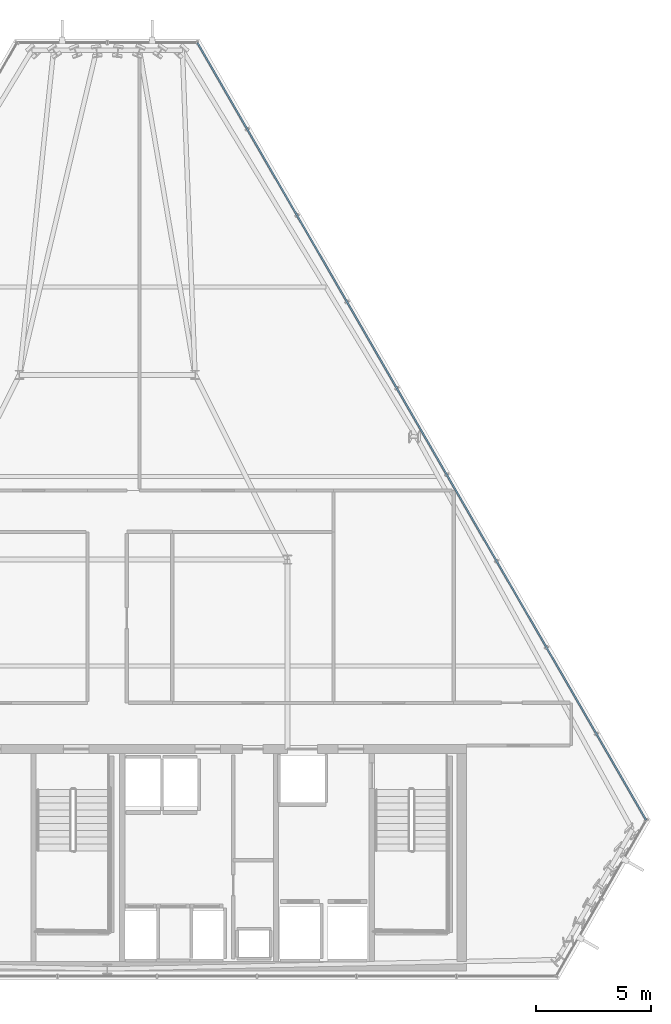
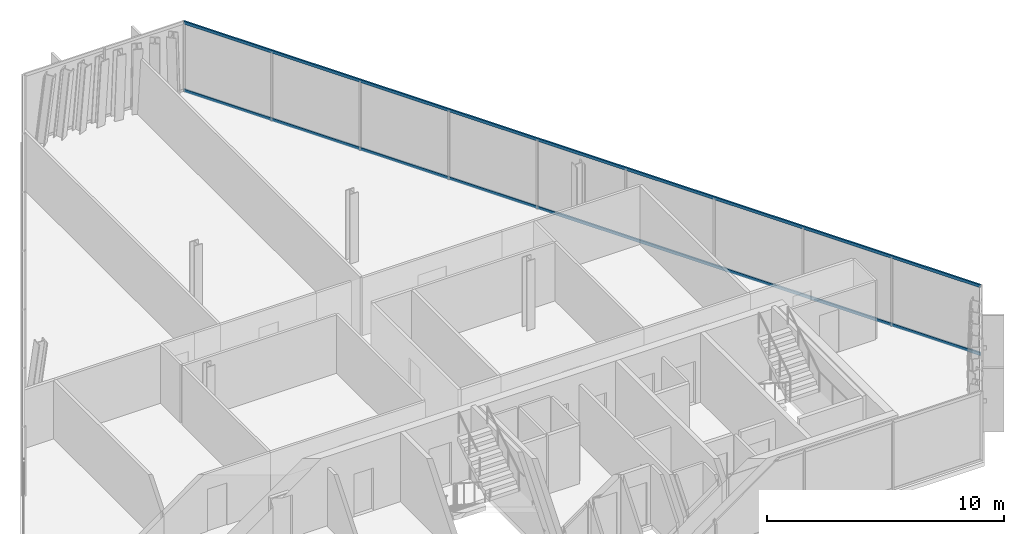
# One storey, part 18 of 30: 2 members, 1 element without a shape of its own.
"""IFC4 building model written with IfcOpenShell, lengths in metres."""

from ifc_helpers import new_model, si_unit, direction, frame, origin, origin_2d, place, context, subcontext, project, spatial, hollow_rectangle, extrude, material, layer, layer_set, material_profile, profile_set, type_object, element, aggregate, save


model = new_model("IFC4")

# Units and contexts
model_context = context("Model", 3, precision=1e-05, world=origin(), true_north=direction((0.0, 1.0)))
body_context = subcontext(model_context, "Body", "Model", "MODEL_VIEW")
ifc_project = project(units=[si_unit("LENGTHUNIT", "METRE"), si_unit("AREAUNIT", "SQUARE_METRE"), si_unit("VOLUMEUNIT", "CUBIC_METRE"), si_unit("PLANEANGLEUNIT", "RADIAN"), si_unit("MASSUNIT", "GRAM", prefix="KILO")], contexts=[model_context])

# Site, building, storey
site_placement = place(None, origin())
site = spatial("IfcSite", under=ifc_project, at=site_placement, CompositionType="ELEMENT")
building_placement = place(site_placement, origin())
building = spatial("IfcBuilding", under=site, at=building_placement, Name="Ndaravel Arena Tower", CompositionType="ELEMENT")
storey_placement = place(building_placement, frame((0.0, 0.0, 225.60009765625)))
storey = spatial("IfcBuildingStorey", under=building, at=storey_placement, Name="L54", CompositionType="ELEMENT", Elevation=225.60009765625)

# Curtain wall, members
ifc_material_1 = material(Name="Aluminium", Category="aluminium")
ifc_layer = layer(ifc_material_1, 0.179931640625)
ifc_layer_set = layer_set([ifc_layer], Name="Aluminium")
curtain_wall_type = type_object("IfcCurtainWallType", Name="CW-SYS-03", PredefinedType="NOTDEFINED", material=ifc_layer_set)
curtain_wall_placement = place(storey_placement, origin())
curtain_wall = element("IfcCurtainWall", 1, at=curtain_wall_placement, inside=storey, type_object=curtain_wall_type, Name="L54 Faceted Crystal Curtain Wall CW-L54-E03", PredefinedType="NOTDEFINED")
ifc_material_2 = material(Name="Aluminium", Category="aluminium")
ifc_material_profile = material_profile(ifc_material_2, hollow_rectangle(XDim=0.074951171875, YDim=0.14990234375, WallThickness=0.00390625, at=origin_2d()), Name="CW TRANSOM 75x150x4")
ifc_profile_set = profile_set([ifc_material_profile], Name="Aluminium")
member_type = type_object("IfcMemberType", Name="MEM-CW-TRN150", PredefinedType="USERDEFINED", material=ifc_profile_set)
member_1_placement = place(storey_placement, frame((65.335205078125, 11.918212890625, 0.039794921875), z_axis=(-0.500001393255, 0.866024599387, 0.0), x_axis=(-0.866024599387, -0.500001393255, 0.0)))
member_1 = element("IfcMember", 2, at=member_1_placement, type_object=member_type, Name="CW-L54-E03 Transom 01", ObjectType="TRANSOM", PredefinedType="USERDEFINED", context=body_context, shape_type="SweptSolid", body=[
    extrude(hollow_rectangle(XDim=0.074951171875, YDim=0.14990234375, WallThickness=0.00390625, at=origin_2d()), origin(), (0.0, 0.0, 1.0), 38.86669921875),
])
member_2_placement = place(storey_placement, frame((65.335205078125, 11.918212890625, 3.539794921875), z_axis=(-0.500001393255, 0.866024599387, 0.0), x_axis=(-0.866024599387, -0.500001393255, 0.0)))
member_2 = element("IfcMember", 3, at=member_2_placement, type_object=member_type, Name="CW-L54-E03 Transom 02", ObjectType="TRANSOM", PredefinedType="USERDEFINED", context=body_context, shape_type="SweptSolid", body=[
    extrude(hollow_rectangle(XDim=0.074951171875, YDim=0.14990234375, WallThickness=0.00390625, at=origin_2d()), origin(), (0.0, 0.0, 1.0), 38.86669921875),
])
aggregate(curtain_wall, [member_1, member_2])

save(model, "model.ifc")
